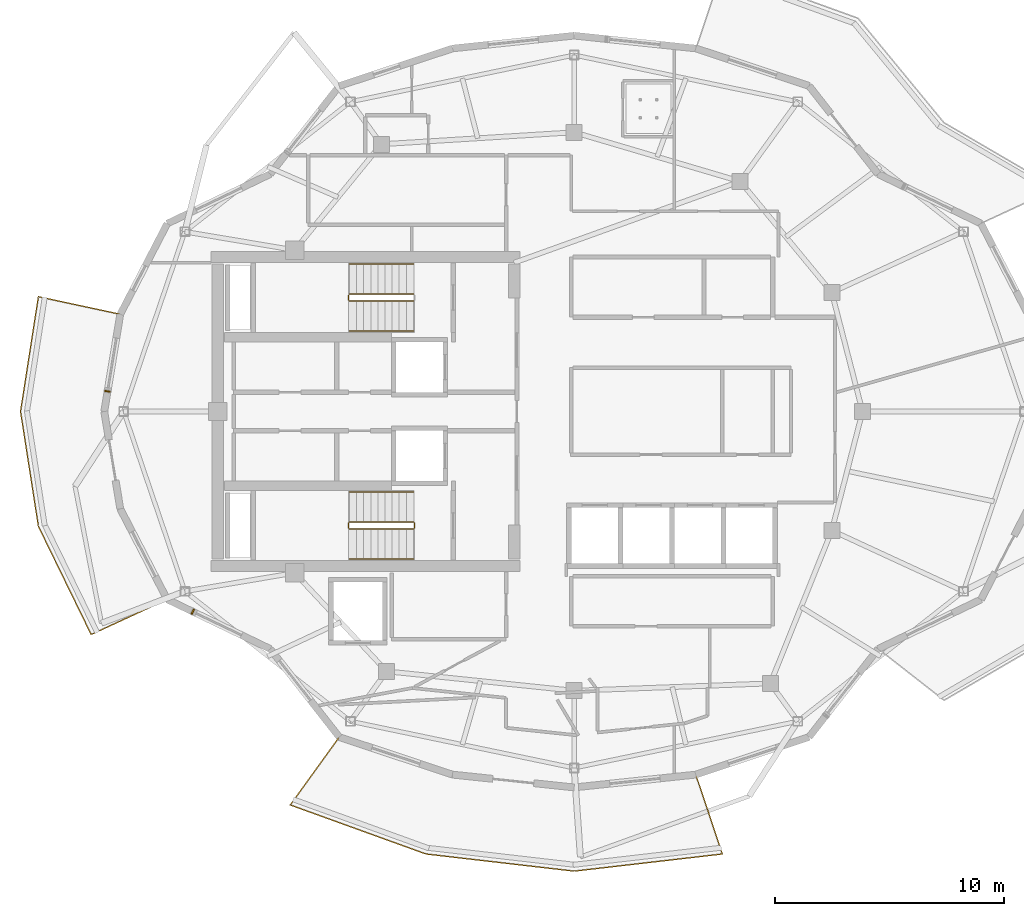
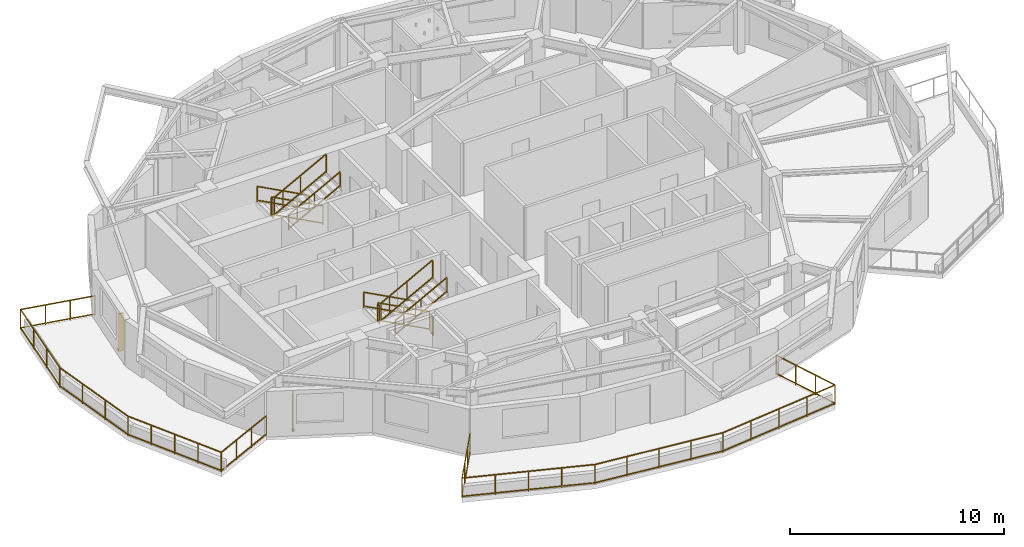
# One storey, part 9 of 11: 13 railings, 2 shading devices.
"""IFC4 building model written with IfcOpenShell, lengths in metres."""

from ifc_helpers import new_model, si_unit, direction, frame, origin, origin_2d, place, context, subcontext, project, spatial, rectangle, extrude, material, type_object, element, save


model = new_model("IFC4")

# Units and contexts
model_context = context("Model", 3, precision=1e-05, world=origin(), true_north=direction((0.0, 1.0)))
body_context = subcontext(model_context, "Body", "Model", "MODEL_VIEW")
ifc_project = project(units=[si_unit("LENGTHUNIT", "METRE"), si_unit("AREAUNIT", "SQUARE_METRE"), si_unit("VOLUMEUNIT", "CUBIC_METRE"), si_unit("PLANEANGLEUNIT", "RADIAN"), si_unit("MASSUNIT", "GRAM", prefix="KILO")], contexts=[model_context])

# Site, building, storey
site_placement = place(None, origin())
site = spatial("IfcSite", under=ifc_project, at=site_placement, CompositionType="ELEMENT")
building_placement = place(site_placement, origin())
building = spatial("IfcBuilding", under=site, at=building_placement, Name="Kolvaren Gate Tower and Convention Centre", CompositionType="ELEMENT")
storey_placement = place(building_placement, frame((0.0, 0.0, 269.0)))
storey = spatial("IfcBuildingStorey", under=building, at=storey_placement, Name="L73", CompositionType="ELEMENT", Elevation=269.0)

# Railings
ifc_material_1 = material(Name="Brushed Stainless Steel Grade 316L", Category="steel")
railing_type_1 = type_object("IfcRailingType", Name="ARCH-RL-GUARD-1150", PredefinedType="GUARDRAIL", material=ifc_material_1)
railing_1_placement = place(storey_placement, frame((23.10009765625, 32.1298828125, 0.1650390625)))
element("IfcRailing", 1, at=railing_1_placement, inside=storey, type_object=railing_type_1, Name="L73 ST-T1 stair guard 1", PredefinedType="GUARDRAIL", context=body_context, shape_type="SweptSolid", body=[
    extrude(rectangle(XDim=0.048095703125, YDim=0.048095703125, at=origin_2d()), frame((0.0, 0.0, 1.076171875), z_axis=(-0.882767428149, 0.0, 0.469810246588), x_axis=(0.0, -1.0, 0.0)), (0.0, 0.0, 1.0), 3.16064453125),
    extrude(rectangle(XDim=0.048095703125, YDim=0.048095703125, at=origin_2d()), frame((0.0, 0.0, 0.083984375), z_axis=(-0.882767428149, 0.0, 0.469810246588), x_axis=(0.0, -1.0, 0.0)), (0.0, 0.0, 1.0), 3.16064453125),
    extrude(rectangle(XDim=0.0419921875, YDim=0.0419921875, at=origin_2d()), origin(), (0.0, 0.0, 1.0), 1.050048828125),
    extrude(rectangle(XDim=0.0419921875, YDim=0.0419921875, at=origin_2d()), frame((-2.7900390625, 0.0, 1.48486328125)), (0.0, 0.0, 1.0), 1.050048828125),
    extrude(rectangle(XDim=0.0419921875, YDim=0.0419921875, at=origin_2d()), frame((-1.39501953125, 0.0, 0.742431640625)), (0.0, 0.0, 1.0), 1.050048828125),
])
railing_2_placement = place(storey_placement, frame((20.260009765625, 32.080078125, 1.64990234375)))
element("IfcRailing", 2, at=railing_2_placement, inside=storey, type_object=railing_type_1, Name="L73 ST-T1 stair guard 2", PredefinedType="GUARDRAIL", context=body_context, shape_type="SweptSolid", body=[
    extrude(rectangle(XDim=0.048095703125, YDim=0.048095703125, at=origin_2d()), frame((0.0, 0.0, 1.076171875), z_axis=(0.0, -1.0, 0.0), x_axis=(1.0, 0.0, 0.0)), (0.0, 0.0, 1.0), 0.2001953125),
    extrude(rectangle(XDim=0.048095703125, YDim=0.048095703125, at=origin_2d()), frame((0.0, 0.0, 0.083984375), z_axis=(0.0, -1.0, 0.0), x_axis=(1.0, 0.0, 0.0)), (0.0, 0.0, 1.0), 0.2001953125),
    extrude(rectangle(XDim=0.0419921875, YDim=0.0419921875, at=origin_2d()), origin(), (0.0, 0.0, 1.0), 1.050048828125),
    extrude(rectangle(XDim=0.0419921875, YDim=0.0419921875, at=origin_2d()), frame((0.0, -0.2001953125, 0.0)), (0.0, 0.0, 1.0), 1.050048828125),
])
railing_3_placement = place(storey_placement, frame((20.31005859375, 31.830078125, 1.81494140625)))
element("IfcRailing", 3, at=railing_3_placement, inside=storey, type_object=railing_type_1, Name="L73 ST-T1 stair guard 3", PredefinedType="GUARDRAIL", context=body_context, shape_type="SweptSolid", body=[
    extrude(rectangle(XDim=0.048095703125, YDim=0.048095703125, at=origin_2d()), frame((0.0, 0.0, 1.076171875), z_axis=(0.882735390775, 0.0, 0.469870439454), x_axis=(0.0, 1.0, 0.0)), (0.0, 0.0, 1.0), 3.16064453125),
    extrude(rectangle(XDim=0.048095703125, YDim=0.048095703125, at=origin_2d()), frame((0.0, 0.0, 0.083984375), z_axis=(0.882735390775, 0.0, 0.469870439454), x_axis=(0.0, 1.0, 0.0)), (0.0, 0.0, 1.0), 3.16064453125),
    extrude(rectangle(XDim=0.0419921875, YDim=0.0419921875, at=origin_2d()), origin(), (0.0, 0.0, 1.0), 1.050048828125),
    extrude(rectangle(XDim=0.0419921875, YDim=0.0419921875, at=origin_2d()), frame((2.7900390625, 0.0, 1.485107421875)), (0.0, 0.0, 1.0), 1.050048828125),
    extrude(rectangle(XDim=0.0419921875, YDim=0.0419921875, at=origin_2d()), frame((1.39501953125, 0.0, 0.74267578125)), (0.0, 0.0, 1.0), 1.050048828125),
])
railing_4_placement = place(storey_placement, frame((23.10009765625, 22.169921875, 0.1650390625)))
element("IfcRailing", 4, at=railing_4_placement, inside=storey, type_object=railing_type_1, Name="L73 ST-T2 stair guard 1", PredefinedType="GUARDRAIL", context=body_context, shape_type="SweptSolid", body=[
    extrude(rectangle(XDim=0.048095703125, YDim=0.048095703125, at=origin_2d()), frame((0.0, 0.0, 1.076171875), z_axis=(-0.882767428149, 0.0, 0.469810246588), x_axis=(0.0, -1.0, 0.0)), (0.0, 0.0, 1.0), 3.16064453125),
    extrude(rectangle(XDim=0.048095703125, YDim=0.048095703125, at=origin_2d()), frame((0.0, 0.0, 0.083984375), z_axis=(-0.882767428149, 0.0, 0.469810246588), x_axis=(0.0, -1.0, 0.0)), (0.0, 0.0, 1.0), 3.16064453125),
    extrude(rectangle(XDim=0.0419921875, YDim=0.0419921875, at=origin_2d()), origin(), (0.0, 0.0, 1.0), 1.050048828125),
    extrude(rectangle(XDim=0.0419921875, YDim=0.0419921875, at=origin_2d()), frame((-2.7900390625, 0.0, 1.48486328125)), (0.0, 0.0, 1.0), 1.050048828125),
    extrude(rectangle(XDim=0.0419921875, YDim=0.0419921875, at=origin_2d()), frame((-1.39501953125, 0.0, 0.742431640625)), (0.0, 0.0, 1.0), 1.050048828125),
])
railing_5_placement = place(storey_placement, frame((20.260009765625, 22.1201171875, 1.64990234375)))
element("IfcRailing", 5, at=railing_5_placement, inside=storey, type_object=railing_type_1, Name="L73 ST-T2 stair guard 2", PredefinedType="GUARDRAIL", context=body_context, shape_type="SweptSolid", body=[
    extrude(rectangle(XDim=0.048095703125, YDim=0.048095703125, at=origin_2d()), frame((0.0, 0.0, 1.076171875), z_axis=(0.0, -1.0, 0.0), x_axis=(1.0, 0.0, 0.0)), (0.0, 0.0, 1.0), 0.2001953125),
    extrude(rectangle(XDim=0.048095703125, YDim=0.048095703125, at=origin_2d()), frame((0.0, 0.0, 0.083984375), z_axis=(0.0, -1.0, 0.0), x_axis=(1.0, 0.0, 0.0)), (0.0, 0.0, 1.0), 0.2001953125),
    extrude(rectangle(XDim=0.0419921875, YDim=0.0419921875, at=origin_2d()), origin(), (0.0, 0.0, 1.0), 1.050048828125),
    extrude(rectangle(XDim=0.0419921875, YDim=0.0419921875, at=origin_2d()), frame((0.0, -0.2001953125, 0.0)), (0.0, 0.0, 1.0), 1.050048828125),
])
railing_6_placement = place(storey_placement, frame((20.31005859375, 21.8701171875, 1.81494140625)))
element("IfcRailing", 6, at=railing_6_placement, inside=storey, type_object=railing_type_1, Name="L73 ST-T2 stair guard 3", PredefinedType="GUARDRAIL", context=body_context, shape_type="SweptSolid", body=[
    extrude(rectangle(XDim=0.048095703125, YDim=0.048095703125, at=origin_2d()), frame((0.0, 0.0, 1.076171875), z_axis=(0.882735390775, 0.0, 0.469870439454), x_axis=(0.0, 1.0, 0.0)), (0.0, 0.0, 1.0), 3.16064453125),
    extrude(rectangle(XDim=0.048095703125, YDim=0.048095703125, at=origin_2d()), frame((0.0, 0.0, 0.083984375), z_axis=(0.882735390775, 0.0, 0.469870439454), x_axis=(0.0, 1.0, 0.0)), (0.0, 0.0, 1.0), 3.16064453125),
    extrude(rectangle(XDim=0.0419921875, YDim=0.0419921875, at=origin_2d()), origin(), (0.0, 0.0, 1.0), 1.050048828125),
    extrude(rectangle(XDim=0.0419921875, YDim=0.0419921875, at=origin_2d()), frame((2.7900390625, 0.0, 1.485107421875)), (0.0, 0.0, 1.0), 1.050048828125),
    extrude(rectangle(XDim=0.0419921875, YDim=0.0419921875, at=origin_2d()), frame((1.39501953125, 0.0, 0.74267578125)), (0.0, 0.0, 1.0), 1.050048828125),
])
railing_7_placement = place(storey_placement, frame((23.14990234375, 22.1201171875, 0.0)))
element("IfcRailing", 7, at=railing_7_placement, inside=storey, type_object=railing_type_1, Name="L73 ST-T2 stair guard 4", PredefinedType="GUARDRAIL", context=body_context, shape_type="SweptSolid", body=[
    extrude(rectangle(XDim=0.048095703125, YDim=0.048095703125, at=origin_2d()), frame((0.0, 0.0, 1.076171875), z_axis=(0.0, -1.0, 0.0), x_axis=(1.0, 0.0, 0.0)), (0.0, 0.0, 1.0), 0.2001953125),
    extrude(rectangle(XDim=0.048095703125, YDim=0.048095703125, at=origin_2d()), frame((0.0, 0.0, 0.083984375), z_axis=(0.0, -1.0, 0.0), x_axis=(1.0, 0.0, 0.0)), (0.0, 0.0, 1.0), 0.2001953125),
    extrude(rectangle(XDim=0.0419921875, YDim=0.0419921875, at=origin_2d()), origin(), (0.0, 0.0, 1.0), 1.050048828125),
    extrude(rectangle(XDim=0.0419921875, YDim=0.0419921875, at=origin_2d()), frame((0.0, -0.2001953125, 0.0)), (0.0, 0.0, 1.0), 1.050048828125),
])
railing_8_placement = place(storey_placement, frame((10.293212890625, 31.251220703125, 0.0)))
element("IfcRailing", 8, at=railing_8_placement, inside=storey, type_object=railing_type_1, Name="Tower L73 Terrace Perimeter Guardrail GR-2", PredefinedType="GUARDRAIL", context=body_context, shape_type="SweptSolid", body=[
    extrude(rectangle(XDim=0.048095703125, YDim=0.048095703125, at=origin_2d()), frame((-0.02734375, 0.005859375, 1.1259765625), z_axis=(-0.977788745232, 0.209592866525, 0.0), x_axis=(-0.209592866525, -0.977788745232, 0.0)), (0.0, 0.0, 1.0), 3.603759765625),
    extrude(rectangle(XDim=0.048095703125, YDim=0.048095703125, at=origin_2d()), frame((-0.02734375, 0.005859375, 0.083984375), z_axis=(-0.977788745232, 0.209592866525, 0.0), x_axis=(-0.209592866525, -0.977788745232, 0.0)), (0.0, 0.0, 1.0), 3.603759765625),
    extrude(rectangle(XDim=0.048095703125, YDim=0.048095703125, at=origin_2d()), frame((-3.5830078125, 0.7392578125, 1.1259765625), z_axis=(-0.153733081728, -0.988112412422, 0.0), x_axis=(0.988112412422, -0.153733081728, 0.0)), (0.0, 0.0, 1.0), 5.022705078125),
    extrude(rectangle(XDim=0.048095703125, YDim=0.048095703125, at=origin_2d()), frame((-3.5830078125, 0.7392578125, 0.083984375), z_axis=(-0.153733081728, -0.988112412422, 0.0), x_axis=(0.988112412422, -0.153733081728, 0.0)), (0.0, 0.0, 1.0), 5.022705078125),
    extrude(rectangle(XDim=0.048095703125, YDim=0.048095703125, at=origin_2d()), frame((-4.35498046875, -4.279052734375, 1.1259765625), z_axis=(0.153733081728, -0.988112412422, 0.0), x_axis=(0.988112412422, 0.153733081728, 0.0)), (0.0, 0.0, 1.0), 5.022705078125),
    extrude(rectangle(XDim=0.048095703125, YDim=0.048095703125, at=origin_2d()), frame((-4.35498046875, -4.279052734375, 0.083984375), z_axis=(0.153733081728, -0.988112412422, 0.0), x_axis=(0.988112412422, 0.153733081728, 0.0)), (0.0, 0.0, 1.0), 5.022705078125),
    extrude(rectangle(XDim=0.048095703125, YDim=0.048095703125, at=origin_2d()), frame((-3.56640625, -9.294677734375, 1.1259765625), z_axis=(0.438469339137, -0.898746148051, 0.0), x_axis=(0.898746148051, 0.438469339137, 0.0)), (0.0, 0.0, 1.0), 5.20556640625),
    extrude(rectangle(XDim=0.048095703125, YDim=0.048095703125, at=origin_2d()), frame((-3.56640625, -9.294677734375, 0.083984375), z_axis=(0.438469339137, -0.898746148051, 0.0), x_axis=(0.898746148051, 0.438469339137, 0.0)), (0.0, 0.0, 1.0), 5.20556640625),
    extrude(rectangle(XDim=0.048095703125, YDim=0.048095703125, at=origin_2d()), frame((-1.24609375, -13.98681640625, 1.1259765625), z_axis=(0.907820723829, 0.419358478377, 0.0), x_axis=(-0.419358478377, 0.907820723829, 0.0)), (0.0, 0.0, 1.0), 3.60400390625),
    extrude(rectangle(XDim=0.048095703125, YDim=0.048095703125, at=origin_2d()), frame((-1.24609375, -13.98681640625, 0.083984375), z_axis=(0.907820723829, 0.419358478377, 0.0), x_axis=(-0.419358478377, 0.907820723829, 0.0)), (0.0, 0.0, 1.0), 3.60400390625),
    extrude(rectangle(XDim=0.0419921875, YDim=0.0419921875, at=origin_2d()), origin(), (0.0, 0.0, 1.0), 1.14990234375),
    extrude(rectangle(XDim=0.0419921875, YDim=0.0419921875, at=origin_2d()), frame((-3.57861328125, 0.76708984375, 0.0)), (0.0, 0.0, 1.0), 1.14990234375),
    extrude(rectangle(XDim=0.0419921875, YDim=0.0419921875, at=origin_2d()), frame((-1.19287109375, 0.255615234375, 0.0)), (0.0, 0.0, 1.0), 1.099853515625),
    extrude(rectangle(XDim=0.0419921875, YDim=0.0419921875, at=origin_2d()), frame((-2.3857421875, 0.511474609375, 0.0)), (0.0, 0.0, 1.0), 1.099853515625),
    extrude(rectangle(XDim=0.0419921875, YDim=0.0419921875, at=origin_2d()), frame((-4.359375, -4.251220703125, 0.0)), (0.0, 0.0, 1.0), 1.14990234375),
    extrude(rectangle(XDim=0.0419921875, YDim=0.0419921875, at=origin_2d()), frame((-3.8388671875, -0.90576171875, 0.0)), (0.0, 0.0, 1.0), 1.099853515625),
    extrude(rectangle(XDim=0.0419921875, YDim=0.0419921875, at=origin_2d()), frame((-4.09912109375, -2.578369140625, 0.0)), (0.0, 0.0, 1.0), 1.099853515625),
    extrude(rectangle(XDim=0.0419921875, YDim=0.0419921875, at=origin_2d()), frame((-3.57861328125, -9.26953125, 0.0)), (0.0, 0.0, 1.0), 1.14990234375),
    extrude(rectangle(XDim=0.0419921875, YDim=0.0419921875, at=origin_2d()), frame((-4.09912109375, -5.924072265625, 0.0)), (0.0, 0.0, 1.0), 1.099853515625),
    extrude(rectangle(XDim=0.0419921875, YDim=0.0419921875, at=origin_2d()), frame((-3.8388671875, -7.5966796875, 0.0)), (0.0, 0.0, 1.0), 1.099853515625),
    extrude(rectangle(XDim=0.0419921875, YDim=0.0419921875, at=origin_2d()), frame((-1.271484375, -13.99853515625, 0.0)), (0.0, 0.0, 1.0), 1.14990234375),
    extrude(rectangle(XDim=0.0419921875, YDim=0.0419921875, at=origin_2d()), frame((-3.001953125, -10.45166015625, 0.0)), (0.0, 0.0, 1.0), 1.099853515625),
    extrude(rectangle(XDim=0.0419921875, YDim=0.0419921875, at=origin_2d()), frame((-2.425048828125, -11.634033203125, 0.0)), (0.0, 0.0, 1.0), 1.099853515625),
    extrude(rectangle(XDim=0.0419921875, YDim=0.0419921875, at=origin_2d()), frame((-1.84814453125, -12.81640625, 0.0)), (0.0, 0.0, 1.0), 1.099853515625),
    extrude(rectangle(XDim=0.0419921875, YDim=0.0419921875, at=origin_2d()), frame((2.05126953125, -12.463623046875, 0.0)), (0.0, 0.0, 1.0), 1.14990234375),
    extrude(rectangle(XDim=0.0419921875, YDim=0.0419921875, at=origin_2d()), frame((-0.163818359375, -13.48681640625, 0.0)), (0.0, 0.0, 1.0), 1.099853515625),
    extrude(rectangle(XDim=0.0419921875, YDim=0.0419921875, at=origin_2d()), frame((0.943603515625, -12.975341796875, 0.0)), (0.0, 0.0, 1.0), 1.099853515625),
])
railing_9_placement = place(storey_placement, frame((19.859375, 12.775390625, 0.0)))
element("IfcRailing", 9, at=railing_9_placement, inside=storey, type_object=railing_type_1, Name="Tower L73 Terrace Perimeter Guardrail GR-3", PredefinedType="GUARDRAIL", context=body_context, shape_type="SweptSolid", body=[
    extrude(rectangle(XDim=0.048095703125, YDim=0.048095703125, at=origin_2d()), frame((-0.016357421875, -0.022705078125, 1.1259765625), z_axis=(-0.585212870465, -0.810879705161, 0.0), x_axis=(0.810879705161, -0.585212870465, 0.0)), (0.0, 0.0, 1.0), 3.603759765625),
    extrude(rectangle(XDim=0.048095703125, YDim=0.048095703125, at=origin_2d()), frame((-0.016357421875, -0.022705078125, 0.083984375), z_axis=(-0.585212870465, -0.810879705161, 0.0), x_axis=(0.810879705161, -0.585212870465, 0.0)), (0.0, 0.0, 1.0), 3.603759765625),
    extrude(rectangle(XDim=0.048095703125, YDim=0.048095703125, at=origin_2d()), frame((-2.115478515625, -2.977294921875, 1.1259765625), z_axis=(0.940477613992, -0.339855642267, 0.0), x_axis=(0.339855642267, 0.940477613992, 0.0)), (0.0, 0.0, 1.0), 6.25048828125),
    extrude(rectangle(XDim=0.048095703125, YDim=0.048095703125, at=origin_2d()), frame((-2.115478515625, -2.977294921875, 0.083984375), z_axis=(0.940477613992, -0.339855642267, 0.0), x_axis=(0.339855642267, 0.940477613992, 0.0)), (0.0, 0.0, 1.0), 6.25048828125),
    extrude(rectangle(XDim=0.048095703125, YDim=0.048095703125, at=origin_2d()), frame((3.817138671875, -5.1142578125, 1.1259765625), z_axis=(0.993373956815, -0.114926854656, 0.0), x_axis=(0.114926854656, 0.993373956815, 0.0)), (0.0, 0.0, 1.0), 6.46337890625),
    extrude(rectangle(XDim=0.048095703125, YDim=0.048095703125, at=origin_2d()), frame((3.817138671875, -5.1142578125, 0.083984375), z_axis=(0.993373956815, -0.114926854656, 0.0), x_axis=(0.114926854656, 0.993373956815, 0.0)), (0.0, 0.0, 1.0), 6.46337890625),
    extrude(rectangle(XDim=0.048095703125, YDim=0.048095703125, at=origin_2d()), frame((10.29345703125, -5.857177734375, 1.1259765625), z_axis=(0.993373956815, 0.114926854656, 0.0), x_axis=(-0.114926854656, 0.993373956815, 0.0)), (0.0, 0.0, 1.0), 6.46337890625),
    extrude(rectangle(XDim=0.048095703125, YDim=0.048095703125, at=origin_2d()), frame((10.29345703125, -5.857177734375, 0.083984375), z_axis=(0.993373956815, 0.114926854656, 0.0), x_axis=(-0.114926854656, 0.993373956815, 0.0)), (0.0, 0.0, 1.0), 6.46337890625),
    extrude(rectangle(XDim=0.048095703125, YDim=0.048095703125, at=origin_2d()), frame((16.733154296875, -5.08447265625, 1.1259765625), z_axis=(-0.317588247294, 0.948228719867, 0.0), x_axis=(-0.948228719867, -0.317588247294, 0.0)), (0.0, 0.0, 1.0), 3.603759765625),
    extrude(rectangle(XDim=0.048095703125, YDim=0.048095703125, at=origin_2d()), frame((16.733154296875, -5.08447265625, 0.083984375), z_axis=(-0.317588247294, 0.948228719867, 0.0), x_axis=(-0.948228719867, -0.317588247294, 0.0)), (0.0, 0.0, 1.0), 3.603759765625),
    extrude(rectangle(XDim=0.0419921875, YDim=0.0419921875, at=origin_2d()), origin(), (0.0, 0.0, 1.0), 1.14990234375),
    extrude(rectangle(XDim=0.0419921875, YDim=0.0419921875, at=origin_2d()), frame((-2.141845703125, -2.9677734375, 0.0)), (0.0, 0.0, 1.0), 1.14990234375),
    extrude(rectangle(XDim=0.0419921875, YDim=0.0419921875, at=origin_2d()), frame((-0.7138671875, -0.9892578125, 0.0)), (0.0, 0.0, 1.0), 1.099853515625),
    extrude(rectangle(XDim=0.0419921875, YDim=0.0419921875, at=origin_2d()), frame((-1.427978515625, -1.978515625, 0.0)), (0.0, 0.0, 1.0), 1.099853515625),
    extrude(rectangle(XDim=0.0419921875, YDim=0.0419921875, at=origin_2d()), frame((3.789306640625, -5.111083984375, 0.0)), (0.0, 0.0, 1.0), 1.14990234375),
    extrude(rectangle(XDim=0.0419921875, YDim=0.0419921875, at=origin_2d()), frame((-0.6591796875, -3.503662109375, 0.0)), (0.0, 0.0, 1.0), 1.099853515625),
    extrude(rectangle(XDim=0.0419921875, YDim=0.0419921875, at=origin_2d()), frame((0.82373046875, -4.03955078125, 0.0)), (0.0, 0.0, 1.0), 1.099853515625),
    extrude(rectangle(XDim=0.0419921875, YDim=0.0419921875, at=origin_2d()), frame((2.306640625, -4.5751953125, 0.0)), (0.0, 0.0, 1.0), 1.099853515625),
    extrude(rectangle(XDim=0.0419921875, YDim=0.0419921875, at=origin_2d()), frame((10.265625, -5.8603515625, 0.0)), (0.0, 0.0, 1.0), 1.14990234375),
    extrude(rectangle(XDim=0.0419921875, YDim=0.0419921875, at=origin_2d()), frame((5.408447265625, -5.29833984375, 0.0)), (0.0, 0.0, 1.0), 1.099853515625),
    extrude(rectangle(XDim=0.0419921875, YDim=0.0419921875, at=origin_2d()), frame((7.02734375, -5.48583984375, 0.0)), (0.0, 0.0, 1.0), 1.099853515625),
    extrude(rectangle(XDim=0.0419921875, YDim=0.0419921875, at=origin_2d()), frame((8.646484375, -5.673095703125, 0.0)), (0.0, 0.0, 1.0), 1.099853515625),
    extrude(rectangle(XDim=0.0419921875, YDim=0.0419921875, at=origin_2d()), frame((16.741943359375, -5.111083984375, 0.0)), (0.0, 0.0, 1.0), 1.14990234375),
    extrude(rectangle(XDim=0.0419921875, YDim=0.0419921875, at=origin_2d()), frame((11.884765625, -5.673095703125, 0.0)), (0.0, 0.0, 1.0), 1.099853515625),
    extrude(rectangle(XDim=0.0419921875, YDim=0.0419921875, at=origin_2d()), frame((13.50390625, -5.48583984375, 0.0)), (0.0, 0.0, 1.0), 1.099853515625),
    extrude(rectangle(XDim=0.0419921875, YDim=0.0419921875, at=origin_2d()), frame((15.122802734375, -5.29833984375, 0.0)), (0.0, 0.0, 1.0), 1.099853515625),
    extrude(rectangle(XDim=0.0419921875, YDim=0.0419921875, at=origin_2d()), frame((15.57958984375, -1.640625, 0.0)), (0.0, 0.0, 1.0), 1.14990234375),
    extrude(rectangle(XDim=0.0419921875, YDim=0.0419921875, at=origin_2d()), frame((16.3544921875, -3.954345703125, 0.0)), (0.0, 0.0, 1.0), 1.099853515625),
    extrude(rectangle(XDim=0.0419921875, YDim=0.0419921875, at=origin_2d()), frame((15.967041015625, -2.79736328125, 0.0)), (0.0, 0.0, 1.0), 1.099853515625),
])
railing_type_2 = type_object("IfcRailingType", Name="ARCH-RL-HANDRAIL-920", PredefinedType="HANDRAIL", material=ifc_material_1)
railing_10_placement = place(storey_placement, frame((23.10009765625, 33.449951171875, 0.1650390625)))
element("IfcRailing", 10, at=railing_10_placement, inside=storey, type_object=railing_type_2, Name="L73 ST-T1 stair handrail 1", PredefinedType="HANDRAIL", context=body_context, shape_type="SweptSolid", body=[
    extrude(rectangle(XDim=0.048095703125, YDim=0.048095703125, at=origin_2d()), frame((0.0, 0.0, 0.8759765625), z_axis=(-0.882767428149, 0.0, 0.469810246588), x_axis=(0.0, -1.0, 0.0)), (0.0, 0.0, 1.0), 3.16064453125),
    extrude(rectangle(XDim=0.048095703125, YDim=0.048095703125, at=origin_2d()), frame((0.0, 0.0, 0.083984375), z_axis=(-0.882767428149, 0.0, 0.469810246588), x_axis=(0.0, -1.0, 0.0)), (0.0, 0.0, 1.0), 3.16064453125),
    extrude(rectangle(XDim=0.0419921875, YDim=0.0419921875, at=origin_2d()), origin(), (0.0, 0.0, 1.0), 0.849853515625),
    extrude(rectangle(XDim=0.0419921875, YDim=0.0419921875, at=origin_2d()), frame((-2.7900390625, 0.0, 1.48486328125)), (0.0, 0.0, 1.0), 0.849853515625),
    extrude(rectangle(XDim=0.0419921875, YDim=0.0419921875, at=origin_2d()), frame((-1.39501953125, 0.0, 0.742431640625)), (0.0, 0.0, 1.0), 0.849853515625),
])
railing_11_placement = place(storey_placement, frame((20.31005859375, 30.510009765625, 1.81494140625)))
element("IfcRailing", 11, at=railing_11_placement, inside=storey, type_object=railing_type_2, Name="L73 ST-T1 stair handrail 2", PredefinedType="HANDRAIL", context=body_context, shape_type="SweptSolid", body=[
    extrude(rectangle(XDim=0.048095703125, YDim=0.048095703125, at=origin_2d()), frame((0.0, 0.0, 0.8759765625), z_axis=(0.882735390775, 0.0, 0.469870439454), x_axis=(0.0, 1.0, 0.0)), (0.0, 0.0, 1.0), 3.16064453125),
    extrude(rectangle(XDim=0.048095703125, YDim=0.048095703125, at=origin_2d()), frame((0.0, 0.0, 0.083984375), z_axis=(0.882735390775, 0.0, 0.469870439454), x_axis=(0.0, 1.0, 0.0)), (0.0, 0.0, 1.0), 3.16064453125),
    extrude(rectangle(XDim=0.0419921875, YDim=0.0419921875, at=origin_2d()), origin(), (0.0, 0.0, 1.0), 0.849853515625),
    extrude(rectangle(XDim=0.0419921875, YDim=0.0419921875, at=origin_2d()), frame((2.7900390625, 0.0, 1.485107421875)), (0.0, 0.0, 1.0), 0.849853515625),
    extrude(rectangle(XDim=0.0419921875, YDim=0.0419921875, at=origin_2d()), frame((1.39501953125, 0.0, 0.74267578125)), (0.0, 0.0, 1.0), 0.849853515625),
])
railing_12_placement = place(storey_placement, frame((23.10009765625, 23.489990234375, 0.1650390625)))
element("IfcRailing", 12, at=railing_12_placement, inside=storey, type_object=railing_type_2, Name="L73 ST-T2 stair handrail 1", PredefinedType="HANDRAIL", context=body_context, shape_type="SweptSolid", body=[
    extrude(rectangle(XDim=0.048095703125, YDim=0.048095703125, at=origin_2d()), frame((0.0, 0.0, 0.8759765625), z_axis=(-0.882767428149, 0.0, 0.469810246588), x_axis=(0.0, -1.0, 0.0)), (0.0, 0.0, 1.0), 3.16064453125),
    extrude(rectangle(XDim=0.048095703125, YDim=0.048095703125, at=origin_2d()), frame((0.0, 0.0, 0.083984375), z_axis=(-0.882767428149, 0.0, 0.469810246588), x_axis=(0.0, -1.0, 0.0)), (0.0, 0.0, 1.0), 3.16064453125),
    extrude(rectangle(XDim=0.0419921875, YDim=0.0419921875, at=origin_2d()), origin(), (0.0, 0.0, 1.0), 0.849853515625),
    extrude(rectangle(XDim=0.0419921875, YDim=0.0419921875, at=origin_2d()), frame((-2.7900390625, 0.0, 1.48486328125)), (0.0, 0.0, 1.0), 0.849853515625),
    extrude(rectangle(XDim=0.0419921875, YDim=0.0419921875, at=origin_2d()), frame((-1.39501953125, 0.0, 0.742431640625)), (0.0, 0.0, 1.0), 0.849853515625),
])
railing_13_placement = place(storey_placement, frame((20.31005859375, 20.550048828125, 1.81494140625)))
element("IfcRailing", 13, at=railing_13_placement, inside=storey, type_object=railing_type_2, Name="L73 ST-T2 stair handrail 2", PredefinedType="HANDRAIL", context=body_context, shape_type="SweptSolid", body=[
    extrude(rectangle(XDim=0.048095703125, YDim=0.048095703125, at=origin_2d()), frame((0.0, 0.0, 0.8759765625), z_axis=(0.882735390775, 0.0, 0.469870439454), x_axis=(0.0, 1.0, 0.0)), (0.0, 0.0, 1.0), 3.16064453125),
    extrude(rectangle(XDim=0.048095703125, YDim=0.048095703125, at=origin_2d()), frame((0.0, 0.0, 0.083984375), z_axis=(0.882735390775, 0.0, 0.469870439454), x_axis=(0.0, 1.0, 0.0)), (0.0, 0.0, 1.0), 3.16064453125),
    extrude(rectangle(XDim=0.0419921875, YDim=0.0419921875, at=origin_2d()), origin(), (0.0, 0.0, 1.0), 0.849853515625),
    extrude(rectangle(XDim=0.0419921875, YDim=0.0419921875, at=origin_2d()), frame((2.7900390625, 0.0, 1.485107421875)), (0.0, 0.0, 1.0), 0.849853515625),
    extrude(rectangle(XDim=0.0419921875, YDim=0.0419921875, at=origin_2d()), frame((1.39501953125, 0.0, 0.74267578125)), (0.0, 0.0, 1.0), 0.849853515625),
])

# Shading devices
ifc_material_2 = material(Name="Kiln-Fired Bogota Terracotta Ceramic Louvre Profile", Category="masonry")
shading_device_type = type_object("IfcShadingDeviceType", Name="ARCH-SHD-FIN-180", PredefinedType="JALOUSIE", material=ifc_material_2)
for number, where, z_axis, x_axis, name in (
    (14, (9.739013671875, 27.882080078125, 0.219970703125), (0.0, 0.0, 1.0), (0.162385734509, 0.986727355062, 0.0), "Ceramic Vertical Brise-Soleil Fin FN-L73-11"),
    (15, (13.45947265625, 18.251708984375, 0.219970703125), (0.0, 0.0, 1.0), (0.901356122373, -0.433078677218, 0.0), "Ceramic Vertical Brise-Soleil Fin FN-L73-14"),
):
    element("IfcShadingDevice", number, at=place(storey_placement, frame(where, z_axis=z_axis, x_axis=x_axis)), inside=storey, type_object=shading_device_type, Name=name, PredefinedType="JALOUSIE", context=body_context, shape_type="SweptSolid", body=[
        extrude(rectangle(XDim=0.06005859375, YDim=0.239990234375, at=origin_2d()), origin(), (0.0, 0.0, 1.0), 2.14990234375),
    ])

save(model, "model.ifc")
